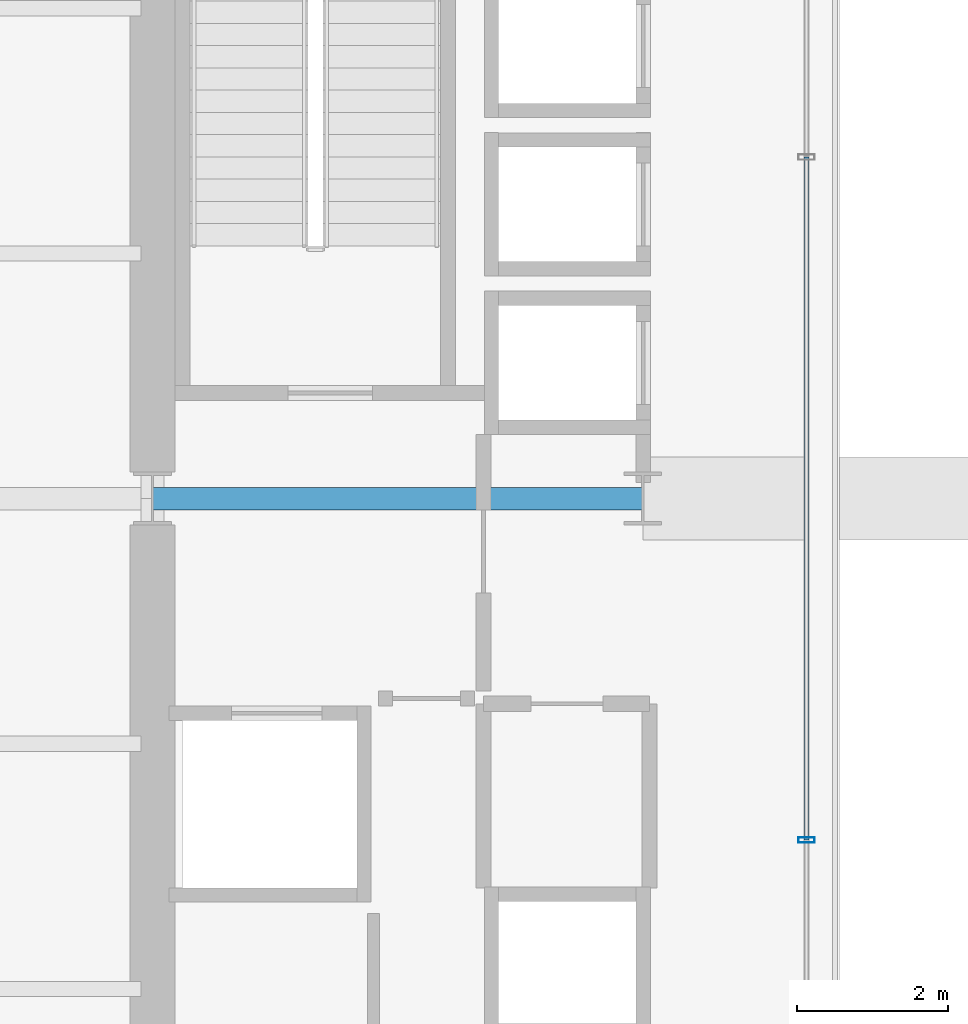
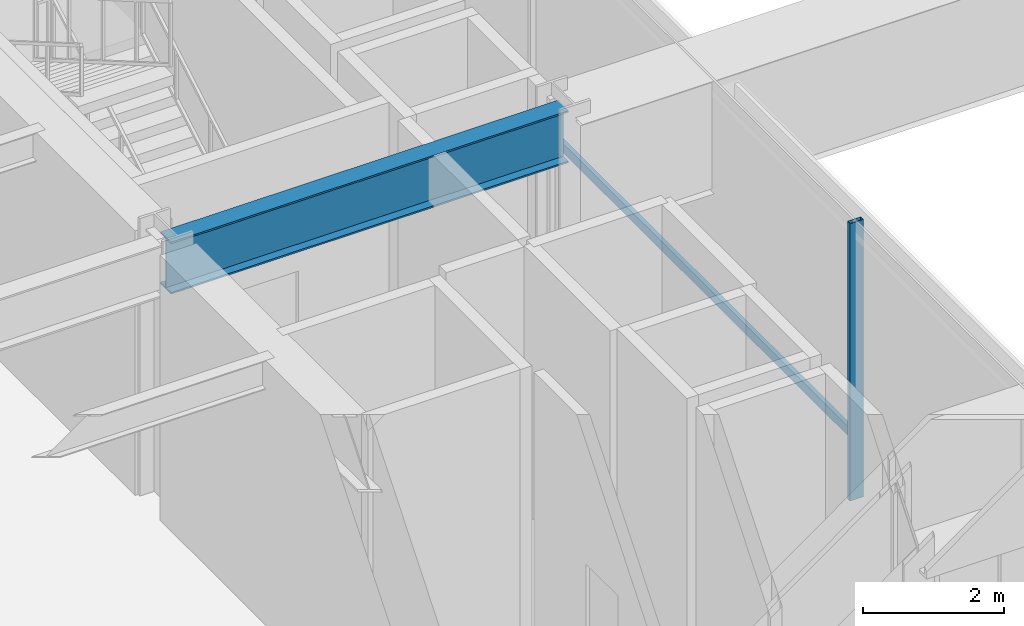
# One storey, part 8 of 42: 2 members, 1 beam, 1 element without a shape of its own.
"""IFC4 building model written with IfcOpenShell, lengths in metres."""

from ifc_helpers import new_model, si_unit, direction, frame, origin, origin_2d, place, context, subcontext, project, spatial, hollow_rectangle, i_section, extrude, material, layer, layer_set, material_profile, profile_set, type_object, element, aggregate, save


model = new_model("IFC4")

# Units and contexts
model_context = context("Model", 3, precision=1e-05, world=origin(), true_north=direction((0.0, 1.0)))
body_context = subcontext(model_context, "Body", "Model", "MODEL_VIEW")
ifc_project = project(units=[si_unit("LENGTHUNIT", "METRE"), si_unit("AREAUNIT", "SQUARE_METRE"), si_unit("VOLUMEUNIT", "CUBIC_METRE"), si_unit("PLANEANGLEUNIT", "RADIAN"), si_unit("MASSUNIT", "GRAM", prefix="KILO")], contexts=[model_context])

# Site, building, storey
site_placement = place(None, origin())
site = spatial("IfcSite", under=ifc_project, at=site_placement, CompositionType="ELEMENT")
building_placement = place(site_placement, origin())
building = spatial("IfcBuilding", under=site, at=building_placement, Name="Brelmoor Portico Tower", CompositionType="ELEMENT")
storey_placement = place(building_placement, frame((0.0, 0.0, 9.60009765625)))
storey = spatial("IfcBuildingStorey", under=building, at=storey_placement, Name="L02", CompositionType="ELEMENT", Elevation=9.60009765625)

# Beam
ifc_material_1 = material(Name="Steel Q355B", Category="steel")
ifc_material_profile_1 = material_profile(ifc_material_1, i_section(OverallWidth=0.300048828125, OverallDepth=0.89990234375, WebThickness=0.01611328125, FlangeThickness=0.028076171875, at=origin_2d()), Name="HN 900x300x16x28")
ifc_profile_set_1 = profile_set([ifc_material_profile_1], Name="Steel Q355B")
beam_type = type_object("IfcBeamType", Name="BM-PG-900", PredefinedType="BEAM", material=ifc_profile_set_1)
beam_placement = place(storey_placement, frame((-14.550048828125, 0.0, 4.1298828125), z_axis=(1.0, 0.0, 0.0), x_axis=(0.0, 1.0, 0.0)))
element("IfcBeam", 1, at=beam_placement, inside=storey, type_object=beam_type, Name="L02 Primary Floor Girder PG-31", PredefinedType="BEAM", context=body_context, shape_type="SweptSolid", body=[
    extrude(i_section(OverallWidth=0.300048828125, OverallDepth=0.89990234375, WebThickness=0.01611328125, FlangeThickness=0.028076171875, at=origin_2d()), origin(), (0.0, 0.0, 1.0), 6.5),
])

# Curtain wall, members
ifc_material_2 = material(Name="Anodised Aluminium Alloy 6063-T6", Category="aluminium")
ifc_layer = layer(ifc_material_2, 0.179931640625)
ifc_layer_set = layer_set([ifc_layer], Name="Anodised Aluminium Alloy 6063-T6")
curtain_wall_type = type_object("IfcCurtainWallType", Name="CW-PODIUM-ARCH", PredefinedType="NOTDEFINED", material=ifc_layer_set)
curtain_wall_placement = place(storey_placement, origin())
curtain_wall = element("IfcCurtainWall", 2, at=curtain_wall_placement, inside=storey, type_object=curtain_wall_type, Name="L02 Curtain Wall CW-L02-15", PredefinedType="NOTDEFINED")
ifc_material_profile_2 = material_profile(ifc_material_2, hollow_rectangle(XDim=0.074951171875, YDim=0.219970703125, WallThickness=0.0048828125, at=origin_2d()), Name="ALU MULLION 75x220")
ifc_profile_set_2 = profile_set([ifc_material_profile_2], Name="Anodised Aluminium Alloy 6063-T6")
member_type_1 = type_object("IfcMemberType", Name="MB-CW-MULL-220", PredefinedType="MULLION", material=ifc_profile_set_2)
member_1_placement = place(storey_placement, frame((-5.8798828125, -4.526611328125, -0.22021484375), z_axis=(0.0, 0.0, 1.0), x_axis=(0.0, 1.0, 0.0)))
member_1 = element("IfcMember", 3, at=member_1_placement, type_object=member_type_1, Name="CW-L02-15 Mullion 01", PredefinedType="MULLION", context=body_context, shape_type="SweptSolid", body=[
    extrude(hollow_rectangle(XDim=0.074951171875, YDim=0.219970703125, WallThickness=0.0048828125, at=origin_2d()), origin(), (0.0, 0.0, 1.0), 4.800048828125),
])
ifc_material_profile_3 = material_profile(ifc_material_2, hollow_rectangle(XDim=0.070068359375, YDim=0.159912109375, WallThickness=0.00390625, at=origin_2d()), Name="ALU TRANSOM 70x160")
ifc_profile_set_3 = profile_set([ifc_material_profile_3], Name="Anodised Aluminium Alloy 6063-T6")
member_type_2 = type_object("IfcMemberType", Name="MB-CW-TRAN-160", PredefinedType="USERDEFINED", material=ifc_profile_set_3)
member_2_placement = place(storey_placement, frame((-5.8798828125, -4.526611328125, 0.849853515625), z_axis=(0.0, 1.0, 0.0), x_axis=(-1.0, 0.0, 0.0)))
member_2 = element("IfcMember", 4, at=member_2_placement, type_object=member_type_2, Name="CW-L02-15 Transom 1-01", ObjectType="TRANSOM", PredefinedType="USERDEFINED", context=body_context, shape_type="SweptSolid", body=[
    extrude(hollow_rectangle(XDim=0.070068359375, YDim=0.159912109375, WallThickness=0.00390625, at=origin_2d()), origin(), (0.0, 0.0, 1.0), 9.05322265625),
])
aggregate(curtain_wall, [member_1, member_2])

save(model, "model.ifc")
